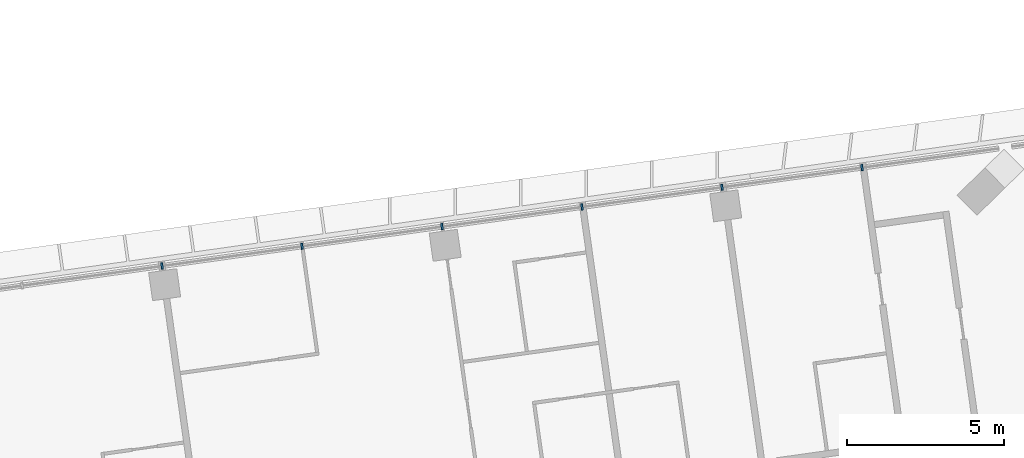
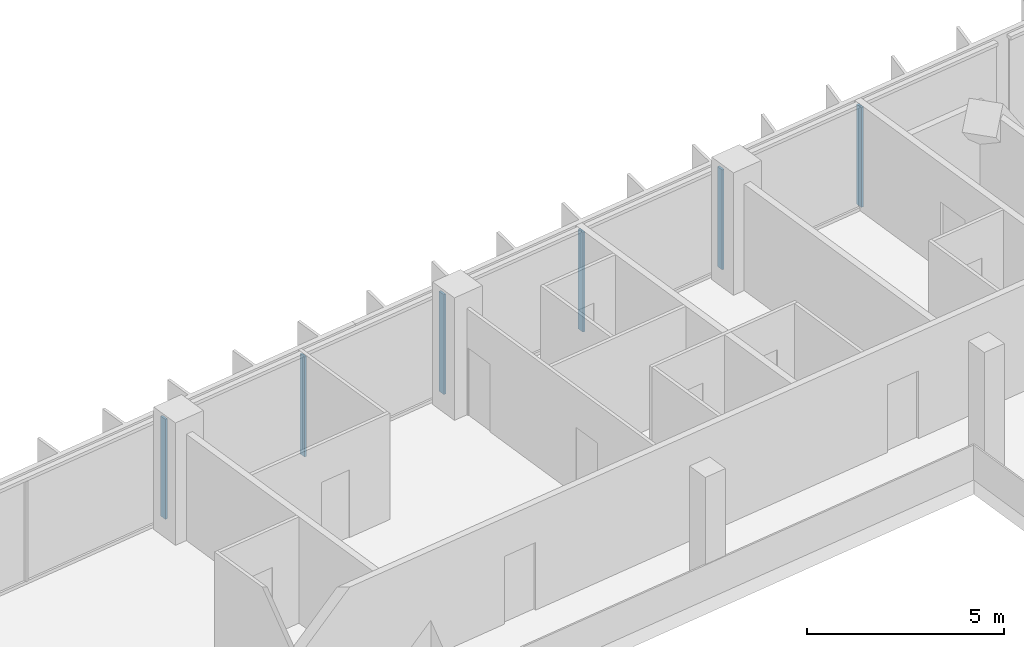
# One storey, part 12 of 34: 6 members, 1 element without a shape of its own.
"""IFC4 building model written with IfcOpenShell, lengths in metres."""

from ifc_helpers import new_model, si_unit, direction, frame, origin, origin_2d, place, context, subcontext, project, spatial, rectangle, extrude, material, material_profile, profile_set, type_object, element, aggregate, save


model = new_model("IFC4")

# Units and contexts
model_context = context("Model", 3, precision=1e-05, world=origin(), true_north=direction((0.0, 1.0)))
body_context = subcontext(model_context, "Body", "Model", "MODEL_VIEW")
ifc_project = project(units=[si_unit("LENGTHUNIT", "METRE"), si_unit("AREAUNIT", "SQUARE_METRE"), si_unit("VOLUMEUNIT", "CUBIC_METRE"), si_unit("PLANEANGLEUNIT", "RADIAN"), si_unit("MASSUNIT", "GRAM", prefix="KILO")], contexts=[model_context])

# Site, building, storey
site_placement = place(None, origin())
site = spatial("IfcSite", under=ifc_project, at=site_placement, CompositionType="ELEMENT")
building_placement = place(site_placement, origin())
building = spatial("IfcBuilding", under=site, at=building_placement, Name="Mirante Cascada Hotel Towers", CompositionType="ELEMENT")
storey_placement = place(building_placement, frame((0.0, 0.0, 148.1)))
storey = spatial("IfcBuildingStorey", under=building, at=storey_placement, Name="L34", CompositionType="ELEMENT", Elevation=148.1)

# Curtain wall, members
ifc_material_1 = material(Name="Aluminium mullion and transom frame with clear laminated glass", Category="aluminium")
curtain_wall_type = type_object("IfcCurtainWallType", Name="Ribbon curtain wall ECW1", PredefinedType="NOTDEFINED", material=ifc_material_1)
curtain_wall_placement = place(storey_placement, origin())
curtain_wall = element("IfcCurtainWall", 1, at=curtain_wall_placement, inside=storey, type_object=curtain_wall_type, Name="Front ribbon wall T2 L34", PredefinedType="NOTDEFINED")
ifc_material_2 = material(Name="Anodised aluminium extrusion", Category="aluminium")
ifc_material_profile = material_profile(ifc_material_2, rectangle(XDim=0.2, YDim=0.065, at=origin_2d()), Name="ECW1 MULLION 65x200")
ifc_profile_set = profile_set([ifc_material_profile], Name="Anodised aluminium extrusion")
member_type = type_object("IfcMemberType", Name="ECW1 mullion 65x200", PredefinedType="MULLION", material=ifc_profile_set)
member_1_placement = place(storey_placement, frame((85.2633, 24.802, 0.1), z_axis=(0.0, 0.0, 1.0), x_axis=(0.1391731, -0.9902681, 0.0)))
member_1 = element("IfcMember", 2, at=member_1_placement, type_object=member_type, Name="ECW1 mullion 3", PredefinedType="MULLION", context=body_context, shape_type="SweptSolid", body=[
    extrude(rectangle(XDim=0.2, YDim=0.065, at=origin_2d()), origin(), (0.0, 0.0, 1.0), 3.1),
])
member_2_placement = place(storey_placement, frame((80.8159, 24.177, 0.1), z_axis=(0.0, 0.0, 1.0), x_axis=(0.1391731, -0.9902681, 0.0)))
member_2 = element("IfcMember", 3, at=member_2_placement, type_object=member_type, Name="ECW1 mullion 4", PredefinedType="MULLION", context=body_context, shape_type="SweptSolid", body=[
    extrude(rectangle(XDim=0.2, YDim=0.065, at=origin_2d()), origin(), (0.0, 0.0, 1.0), 3.1),
])
member_3_placement = place(storey_placement, frame((76.3685, 23.5519, 0.1), z_axis=(0.0, 0.0, 1.0), x_axis=(0.1391731, -0.9902681, 0.0)))
member_3 = element("IfcMember", 4, at=member_3_placement, type_object=member_type, Name="ECW1 mullion 5", PredefinedType="MULLION", context=body_context, shape_type="SweptSolid", body=[
    extrude(rectangle(XDim=0.2, YDim=0.065, at=origin_2d()), origin(), (0.0, 0.0, 1.0), 3.1),
])
member_4_placement = place(storey_placement, frame((71.9211, 22.9269, 0.1), z_axis=(0.0, 0.0, 1.0), x_axis=(0.1391731, -0.9902681, 0.0)))
member_4 = element("IfcMember", 5, at=member_4_placement, type_object=member_type, Name="ECW1 mullion 6", PredefinedType="MULLION", context=body_context, shape_type="SweptSolid", body=[
    extrude(rectangle(XDim=0.2, YDim=0.065, at=origin_2d()), origin(), (0.0, 0.0, 1.0), 3.1),
])
member_5_placement = place(storey_placement, frame((67.4737, 22.3018, 0.1), z_axis=(0.0, 0.0, 1.0), x_axis=(0.1391731, -0.9902681, 0.0)))
member_5 = element("IfcMember", 6, at=member_5_placement, type_object=member_type, Name="ECW1 mullion 7", PredefinedType="MULLION", context=body_context, shape_type="SweptSolid", body=[
    extrude(rectangle(XDim=0.2, YDim=0.065, at=origin_2d()), origin(), (0.0, 0.0, 1.0), 3.1),
])
member_6_placement = place(storey_placement, frame((63.0262, 21.6768, 0.1), z_axis=(0.0, 0.0, 1.0), x_axis=(0.1391731, -0.9902681, 0.0)))
member_6 = element("IfcMember", 7, at=member_6_placement, type_object=member_type, Name="ECW1 mullion 8", PredefinedType="MULLION", context=body_context, shape_type="SweptSolid", body=[
    extrude(rectangle(XDim=0.2, YDim=0.065, at=origin_2d()), origin(), (0.0, 0.0, 1.0), 3.1),
])
aggregate(curtain_wall, [member_1, member_2, member_3, member_4, member_5, member_6])

save(model, "model.ifc")
